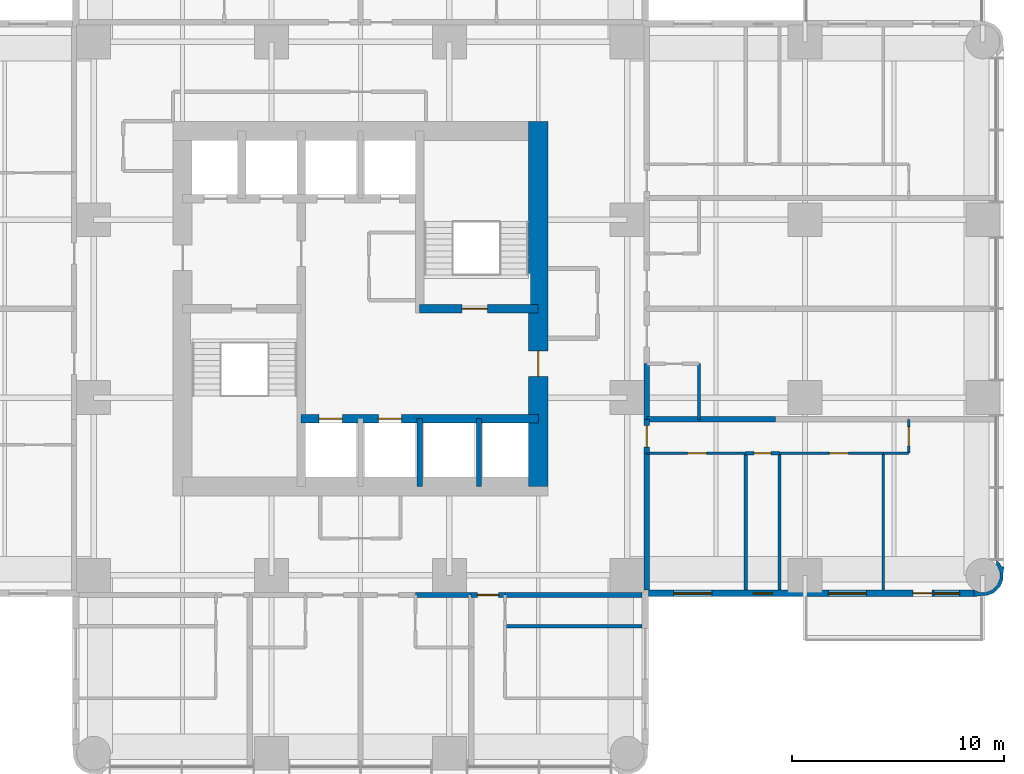
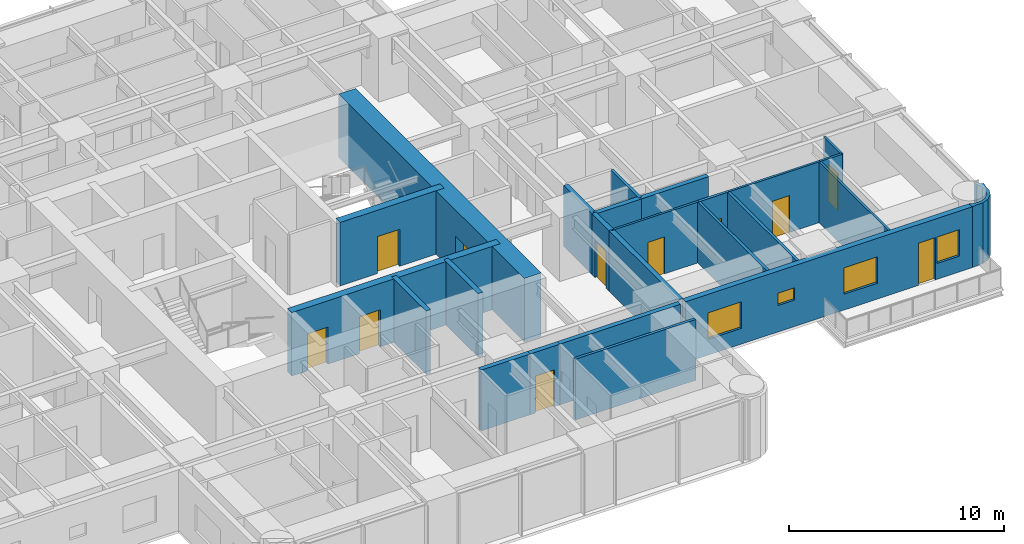
# One storey, part 9 of 14: 25 walls, 11 doors, 4 windows, 15 openings.
"""IFC4 building model written with IfcOpenShell, lengths in metres."""

from ifc_helpers import new_model, si_unit, direction, frame, frame_2d, origin, place, context, subcontext, project, spatial, polyline, rectangle, outline, extrude, material, layer, layer_set, type_object, element, fill, save


model = new_model("IFC4")

# Units and contexts
model_context = context("Model", 3, precision=1e-05, world=origin(), true_north=direction((0.0, 1.0)))
body_context = subcontext(model_context, "Body", "Model", "MODEL_VIEW")
ifc_project = project(units=[si_unit("LENGTHUNIT", "METRE"), si_unit("AREAUNIT", "SQUARE_METRE"), si_unit("VOLUMEUNIT", "CUBIC_METRE"), si_unit("PLANEANGLEUNIT", "RADIAN"), si_unit("MASSUNIT", "GRAM", prefix="KILO")], contexts=[model_context])

# Site, building, storey
site_placement = place(None, origin())
site = spatial("IfcSite", under=ifc_project, at=site_placement, CompositionType="ELEMENT")
building_placement = place(site_placement, origin())
building = spatial("IfcBuilding", under=site, at=building_placement, Name="Torre Alcanfor", CompositionType="ELEMENT")
storey_placement = place(building_placement, frame((0.0, 0.0, 159.300048828125)))
storey = spatial("IfcBuildingStorey", under=building, at=storey_placement, Name="L41", CompositionType="ELEMENT", Elevation=159.300048828125)

# Wall
ifc_material_1 = material(Name="Concrete block masonry, hollow blocks NMX-C-404 9 MPa", Category="masonry")
ifc_layer_1 = layer(ifc_material_1, 0.25)
ifc_layer_set_1 = layer_set([ifc_layer_1], Name="Apartment entrance wall 250 EI 60")
wall_type_1 = type_object("IfcWallType", Name="Apartment entrance wall 250 EI 60", PredefinedType="PARTITIONING", material=ifc_layer_set_1)
wall_1_placement = place(storey_placement, frame((42.925048828125, 26.800048828125, 0.0), z_axis=(0.0, 0.0, 1.0), x_axis=(0.0, -1.0, 0.0)))
element("IfcWall", 1, at=wall_1_placement, inside=storey, type_object=wall_type_1, Name="Partition L41-CORR / L41-E2A-BATH", PredefinedType="PARTITIONING", context=body_context, shape_type="SweptSolid", body=[
    extrude(rectangle(XDim=2.629150390625, YDim=0.25, at=frame_2d((1.314453125, 0.0))), origin(), (0.0, 0.0, 1.0), 3.449951171875),
])

# Wall, opening, door
wall_2_placement = place(storey_placement, frame((42.925048828125, 24.1708984375, 0.0), z_axis=(0.0, 0.0, 1.0), x_axis=(0.0, -1.0, 0.0)))
wall_2 = element("IfcWall", 2, at=wall_2_placement, inside=storey, type_object=wall_type_1, Name="Partition L41-CORR / L41-E2B-HALL", PredefinedType="PARTITIONING", context=body_context, shape_type="SweptSolid", body=[
    extrude(rectangle(XDim=1.599853515625, YDim=0.25, at=frame_2d((0.7998046875, 0.0))), origin(), (0.0, 0.0, 1.0), 3.449951171875),
])
opening_1_placement = place(wall_2_placement, frame((0.300048828125, 0.0, 0.0)))
opening_1 = element("IfcOpeningElement", 3, at=opening_1_placement, cuts=wall_2, Name="Opening D-A1", PredefinedType="OPENING", context=body_context, shape_type="SweptSolid", body=[
    extrude(rectangle(XDim=1.0, YDim=2.10009765625, at=frame_2d((0.5, 1.050048828125))), frame((0.0, 0.135009765625, 0.0), z_axis=(0.0, -1.0, 0.0), x_axis=(1.0, 0.0, 0.0)), (0.0, 0.0, 1.0), 0.27001953125),
])
ifc_material_2 = material(Name="Galvanised steel sheet ASTM A653", Category="steel")
door_type_1 = type_object("IfcDoorType", Name="Apartment entrance door FD60 1000x2100", OperationType="SINGLE_SWING_LEFT", PredefinedType="DOOR", material=ifc_material_2)
door_1_placement = place(opening_1_placement, origin())
door_1 = element("IfcDoor", 4, at=door_1_placement, inside=storey, type_object=door_type_1, Name="Apartment entrance L41-E2B", OperationType="SINGLE_SWING_LEFT", OverallHeight=2.10009765625, OverallWidth=1.0, PredefinedType="DOOR", context=body_context, shape_type="SweptSolid", body=[
    extrude(rectangle(XDim=1.0, YDim=2.10009765625, at=frame_2d((0.5, 1.050048828125))), frame((0.0, 0.02490234375, 0.0), z_axis=(0.0, -1.0, 0.0), x_axis=(1.0, 0.0, 0.0)), (0.0, 0.0, 1.0), 0.050048828125),
])
fill(opening_1, door_1)

# Walls
wall_3_placement = place(storey_placement, frame((42.925048828125, 22.571044921875, 0.0), z_axis=(0.0, 0.0, 1.0), x_axis=(0.0, -1.0, 0.0)))
element("IfcWall", 5, at=wall_3_placement, inside=storey, type_object=wall_type_1, Name="Partition L41-CORR / L41-E2B-BED2", PredefinedType="PARTITIONING", context=body_context, shape_type="SweptSolid", body=[
    extrude(rectangle(XDim=6.470947265625, YDim=0.25, at=frame_2d((3.2353515625, 0.0))), origin(), (0.0, 0.0, 1.0), 3.449951171875),
])
wall_4_placement = place(storey_placement, frame((34.62890625, 15.875, 0.0), z_axis=(0.0, 0.0, 1.0), x_axis=(-1.0, 0.0, 0.0)))
element("IfcWall", 6, at=wall_4_placement, inside=storey, type_object=wall_type_1, Name="Partition L41-CORR / L41-S1A-BATH", PredefinedType="PARTITIONING", context=body_context, shape_type="SweptSolid", body=[
    extrude(rectangle(XDim=2.62890625, YDim=0.25, at=frame_2d((1.314453125, 0.0))), origin(), (0.0, 0.0, 1.0), 3.449951171875),
])

# Wall, opening, door
wall_5_placement = place(storey_placement, frame((36.22900390625, 15.875, 0.0), z_axis=(0.0, 0.0, 1.0), x_axis=(-1.0, 0.0, 0.0)))
wall_5 = element("IfcWall", 7, at=wall_5_placement, inside=storey, type_object=wall_type_1, Name="Partition L41-CORR / L41-S1B-LIVING", PredefinedType="PARTITIONING", context=body_context, shape_type="SweptSolid", body=[
    extrude(rectangle(XDim=1.60009765625, YDim=0.25, at=frame_2d((0.800048828125, 0.0))), origin(), (0.0, 0.0, 1.0), 3.449951171875),
])
opening_2_placement = place(wall_5_placement, frame((0.300048828125, 0.0, 0.0)))
opening_2 = element("IfcOpeningElement", 8, at=opening_2_placement, cuts=wall_5, Name="Opening D-A1", PredefinedType="OPENING", context=body_context, shape_type="SweptSolid", body=[
    extrude(rectangle(XDim=1.0, YDim=2.10009765625, at=frame_2d((0.5, 1.050048828125))), frame((0.0, 0.135009765625, 0.0), z_axis=(0.0, -1.0, 0.0), x_axis=(1.0, 0.0, 0.0)), (0.0, 0.0, 1.0), 0.27001953125),
])
door_2_placement = place(opening_2_placement, origin())
door_2 = element("IfcDoor", 9, at=door_2_placement, inside=storey, type_object=door_type_1, Name="Apartment entrance L41-S1B", OperationType="SINGLE_SWING_LEFT", OverallHeight=2.10009765625, OverallWidth=1.0, PredefinedType="DOOR", context=body_context, shape_type="SweptSolid", body=[
    extrude(rectangle(XDim=1.0, YDim=2.10009765625, at=frame_2d((0.5, 1.050048828125))), frame((0.0, 0.02490234375, 0.0), z_axis=(0.0, -1.0, 0.0), x_axis=(1.0, 0.0, 0.0)), (0.0, 0.0, 1.0), 0.050048828125),
])
fill(opening_2, door_2)

# Wall
wall_6_placement = place(storey_placement, frame((42.699951171875, 15.875, 0.0), z_axis=(0.0, 0.0, 1.0), x_axis=(-1.0, 0.0, 0.0)))
element("IfcWall", 10, at=wall_6_placement, inside=storey, type_object=wall_type_1, Name="Partition L41-CORR / L41-S1B-BATH", PredefinedType="PARTITIONING", context=body_context, shape_type="SweptSolid", body=[
    extrude(rectangle(XDim=6.470947265625, YDim=0.25, at=frame_2d((3.2353515625, 0.0))), origin(), (0.0, 0.0, 1.0), 3.449951171875),
])

# Wall, opening, door
ifc_material_3 = material(Name="Gypsum board on steel studs", Category="steel")
ifc_layer_2 = layer(ifc_material_3, 0.1201171875)
ifc_layer_set_2 = layer_set([ifc_layer_2], Name="Apartment partition 120")
wall_type_2 = type_object("IfcWallType", Name="Apartment partition 120", PredefinedType="PARTITIONING", material=ifc_layer_set_2)
wall_7_placement = place(storey_placement, frame((47.60009765625, 22.571044921875, 0.0), z_axis=(0.0, 0.0, 1.0), x_axis=(-1.0, 0.0, 0.0)))
wall_7 = element("IfcWall", 11, at=wall_7_placement, inside=storey, type_object=wall_type_2, Name="Partition L41-E2B-HALL / L41-E2B-BED2", PredefinedType="PARTITIONING", context=body_context, shape_type="SweptSolid", body=[
    extrude(rectangle(XDim=4.675048828125, YDim=0.1201171875, at=frame_2d((2.33740234375, 0.0))), origin(), (0.0, 0.0, 1.0), 3.449951171875),
])
opening_3_placement = place(wall_7_placement, frame((1.85009765625, 0.0, 0.0)))
opening_3 = element("IfcOpeningElement", 12, at=opening_3_placement, cuts=wall_7, Name="Opening D-R1", PredefinedType="OPENING", context=body_context, shape_type="SweptSolid", body=[
    extrude(rectangle(XDim=0.89990234375, YDim=2.10009765625, at=frame_2d((0.449951171875, 1.050048828125))), frame((0.0, 0.070068359375, 0.0), z_axis=(0.0, -1.0, 0.0), x_axis=(1.0, 0.0, 0.0)), (0.0, 0.0, 1.0), 0.14013671875),
])
ifc_material_4 = material(Name="Timber", Category="wood")
door_type_2 = type_object("IfcDoorType", Name="Internal door 900x2100", OperationType="SINGLE_SWING_LEFT", PredefinedType="DOOR", material=ifc_material_4)
door_3_placement = place(opening_3_placement, origin())
door_3 = element("IfcDoor", 13, at=door_3_placement, inside=storey, type_object=door_type_2, Name="Door L41-E2B bed2", OperationType="SINGLE_SWING_LEFT", OverallHeight=2.10009765625, OverallWidth=0.89990234375, PredefinedType="DOOR", context=body_context, shape_type="SweptSolid", body=[
    extrude(rectangle(XDim=0.89990234375, YDim=2.10009765625, at=frame_2d((0.449951171875, 1.050048828125))), frame((0.0, 0.02490234375, 0.0), z_axis=(0.0, -1.0, 0.0), x_axis=(1.0, 0.0, 0.0)), (0.0, 0.0, 1.0), 0.050048828125),
])
fill(opening_3, door_3)

wall_8_placement = place(storey_placement, frame((54.10009765625, 22.571044921875, 0.0), z_axis=(0.0, 0.0, 1.0), x_axis=(-1.0, 0.0, 0.0)))
wall_8 = element("IfcWall", 14, at=wall_8_placement, inside=storey, type_object=wall_type_2, Name="Partition L41-E2B-HALL / L41-E2B-MASTER", PredefinedType="PARTITIONING", context=body_context, shape_type="SweptSolid", body=[
    extrude(rectangle(XDim=4.900146484375, YDim=0.1201171875, at=frame_2d((2.4501953125, 0.0))), origin(), (0.0, 0.0, 1.0), 3.449951171875),
])
opening_4_placement = place(wall_8_placement, frame((1.64990234375, 0.0, 0.0)))
opening_4 = element("IfcOpeningElement", 15, at=opening_4_placement, cuts=wall_8, Name="Opening D-R1", PredefinedType="OPENING", context=body_context, shape_type="SweptSolid", body=[
    extrude(rectangle(XDim=0.89990234375, YDim=2.10009765625, at=frame_2d((0.449951171875, 1.050048828125))), frame((0.0, 0.070068359375, 0.0), z_axis=(0.0, -1.0, 0.0), x_axis=(1.0, 0.0, 0.0)), (0.0, 0.0, 1.0), 0.14013671875),
])
door_4_placement = place(opening_4_placement, origin())
door_4 = element("IfcDoor", 16, at=door_4_placement, inside=storey, type_object=door_type_2, Name="Door L41-E2B master", OperationType="SINGLE_SWING_LEFT", OverallHeight=2.10009765625, OverallWidth=0.89990234375, PredefinedType="DOOR", context=body_context, shape_type="SweptSolid", body=[
    extrude(rectangle(XDim=0.89990234375, YDim=2.10009765625, at=frame_2d((0.449951171875, 1.050048828125))), frame((0.0, 0.02490234375, 0.0), z_axis=(0.0, -1.0, 0.0), x_axis=(1.0, 0.0, 0.0)), (0.0, 0.0, 1.0), 0.050048828125),
])
fill(opening_4, door_4)

# Wall
wall_9_placement = place(storey_placement, frame((55.300048828125, 22.571044921875, 0.0), z_axis=(0.0, 0.0, 1.0), x_axis=(-1.0, 0.0, 0.0)))
element("IfcWall", 17, at=wall_9_placement, inside=storey, type_object=wall_type_2, Name="Partition L41-E2B-HALL / L41-E2B-KITCHEN", PredefinedType="PARTITIONING", context=body_context, shape_type="SweptSolid", body=[
    extrude(rectangle(XDim=1.199951171875, YDim=0.1201171875, at=frame_2d((0.60009765625, 0.0))), origin(), (0.0, 0.0, 1.0), 3.449951171875),
])

# Wall, opening, door
wall_10_placement = place(storey_placement, frame((55.300048828125, 24.1708984375, 0.0), z_axis=(0.0, 0.0, 1.0), x_axis=(0.0, -1.0, 0.0)))
wall_10 = element("IfcWall", 18, at=wall_10_placement, inside=storey, type_object=wall_type_2, Name="Partition L41-E2B-HALL / L41-E2B-LIVING", PredefinedType="PARTITIONING", context=body_context, shape_type="SweptSolid", body=[
    extrude(rectangle(XDim=1.599853515625, YDim=0.1201171875, at=frame_2d((0.7998046875, 0.0))), origin(), (0.0, 0.0, 1.0), 3.449951171875),
])
opening_5_placement = place(wall_10_placement, frame((0.35009765625, 0.0, 0.0)))
opening_5 = element("IfcOpeningElement", 19, at=opening_5_placement, cuts=wall_10, Name="Opening D-R1", PredefinedType="OPENING", context=body_context, shape_type="SweptSolid", body=[
    extrude(rectangle(XDim=0.89990234375, YDim=2.10009765625, at=frame_2d((0.449951171875, 1.050048828125))), frame((0.0, 0.070068359375, 0.0), z_axis=(0.0, -1.0, 0.0), x_axis=(1.0, 0.0, 0.0)), (0.0, 0.0, 1.0), 0.14013671875),
])
door_5_placement = place(opening_5_placement, origin())
door_5 = element("IfcDoor", 20, at=door_5_placement, inside=storey, type_object=door_type_2, Name="Door L41-E2B living", OperationType="SINGLE_SWING_LEFT", OverallHeight=2.10009765625, OverallWidth=0.89990234375, PredefinedType="DOOR", context=body_context, shape_type="SweptSolid", body=[
    extrude(rectangle(XDim=0.89990234375, YDim=2.10009765625, at=frame_2d((0.449951171875, 1.050048828125))), frame((0.0, 0.02490234375, 0.0), z_axis=(0.0, -1.0, 0.0), x_axis=(1.0, 0.0, 0.0)), (0.0, 0.0, 1.0), 0.050048828125),
])
fill(opening_5, door_5)

# Wall
wall_11_placement = place(storey_placement, frame((54.10009765625, 22.571044921875, 0.0), z_axis=(0.0, 0.0, 1.0), x_axis=(0.0, -1.0, 0.0)))
element("IfcWall", 21, at=wall_11_placement, inside=storey, type_object=wall_type_2, Name="Partition L41-E2B-MASTER / L41-E2B-KITCHEN", PredefinedType="PARTITIONING", context=body_context, shape_type="SweptSolid", body=[
    extrude(rectangle(XDim=6.470947265625, YDim=0.1201171875, at=frame_2d((3.2353515625, 0.0))), origin(), (0.0, 0.0, 1.0), 3.449951171875),
])

# Wall, openings, doors
ifc_material_5 = material(Name="Concrete f'c 70 MPa", Category="concrete")
ifc_layer_3 = layer(ifc_material_5, 0.39990234375)
ifc_layer_set_3 = layer_set([ifc_layer_3], Name="Core inner wall 400 f'c70")
wall_type_3 = type_object("IfcWallType", Name="Core inner wall 400 f'c70", PredefinedType="SHEAR", material=ifc_layer_set_3)
wall_12_placement = place(storey_placement, frame((26.60009765625, 24.199951171875, 0.0), z_axis=(0.0, 0.0, 1.0), x_axis=(1.0, 0.0, 0.0)))
wall_12 = element("IfcWall", 22, at=wall_12_placement, inside=storey, type_object=wall_type_3, Name="Core wall Y242 L41", PredefinedType="SHEAR", context=body_context, shape_type="SweptSolid", body=[
    extrude(rectangle(XDim=11.199951171875, YDim=0.39990234375, at=frame_2d((5.60009765625, 0.0))), origin(), (0.0, 0.0, 1.0), 3.599853515625),
])
opening_6_placement = place(wall_12_placement, frame((0.85009765625, 0.0, 0.0)))
opening_6 = element("IfcOpeningElement", 23, at=opening_6_placement, cuts=wall_12, Name="Opening LD1", PredefinedType="OPENING", context=body_context, shape_type="SweptSolid", body=[
    extrude(rectangle(XDim=1.10009765625, YDim=2.10009765625, at=frame_2d((0.550048828125, 1.050048828125))), frame((0.0, 0.2099609375, 0.0), z_axis=(0.0, -1.0, 0.0), x_axis=(1.0, 0.0, 0.0)), (0.0, 0.0, 1.0), 0.419921875),
])
opening_7_placement = place(wall_12_placement, frame((3.64990234375, 0.0, 0.0)))
opening_7 = element("IfcOpeningElement", 24, at=opening_7_placement, cuts=wall_12, Name="Opening LD1", PredefinedType="OPENING", context=body_context, shape_type="SweptSolid", body=[
    extrude(rectangle(XDim=1.10009765625, YDim=2.10009765625, at=frame_2d((0.550048828125, 1.050048828125))), frame((0.0, 0.2099609375, 0.0), z_axis=(0.0, -1.0, 0.0), x_axis=(1.0, 0.0, 0.0)), (0.0, 0.0, 1.0), 0.419921875),
])
ifc_material_6 = material(Name="Galvanised steel sheet ASTM A653", Category="steel")
door_type_3 = type_object("IfcDoorType", Name="Lift landing door 1100x2100", OperationType="DOUBLE_DOOR_SLIDING", PredefinedType="DOOR", material=ifc_material_6)
door_6_placement = place(opening_6_placement, origin())
door_6 = element("IfcDoor", 25, at=door_6_placement, inside=storey, type_object=door_type_3, Name="Lift landing door PA1 L41", OperationType="DOUBLE_DOOR_SLIDING", OverallHeight=2.10009765625, OverallWidth=1.10009765625, PredefinedType="DOOR", context=body_context, shape_type="SweptSolid", body=[
    extrude(rectangle(XDim=1.10009765625, YDim=2.10009765625, at=frame_2d((0.550048828125, 1.050048828125))), frame((0.0, 0.02490234375, 0.0), z_axis=(0.0, -1.0, 0.0), x_axis=(1.0, 0.0, 0.0)), (0.0, 0.0, 1.0), 0.050048828125),
])
fill(opening_6, door_6)
door_7_placement = place(opening_7_placement, origin())
door_7 = element("IfcDoor", 26, at=door_7_placement, inside=storey, type_object=door_type_3, Name="Lift landing door PA2 L41", OperationType="DOUBLE_DOOR_SLIDING", OverallHeight=2.10009765625, OverallWidth=1.10009765625, PredefinedType="DOOR", context=body_context, shape_type="SweptSolid", body=[
    extrude(rectangle(XDim=1.10009765625, YDim=2.10009765625, at=frame_2d((0.550048828125, 1.050048828125))), frame((0.0, 0.02490234375, 0.0), z_axis=(0.0, -1.0, 0.0), x_axis=(1.0, 0.0, 0.0)), (0.0, 0.0, 1.0), 0.050048828125),
])
fill(opening_7, door_7)

# Wall, opening, door
wall_13_placement = place(storey_placement, frame((32.199951171875, 29.39990234375, 0.0), z_axis=(0.0, 0.0, 1.0), x_axis=(1.0, 0.0, 0.0)))
wall_13 = element("IfcWall", 27, at=wall_13_placement, inside=storey, type_object=wall_type_3, Name="Core wall Y294E L41", PredefinedType="SHEAR", context=body_context, shape_type="SweptSolid", body=[
    extrude(rectangle(XDim=5.60009765625, YDim=0.39990234375, at=frame_2d((2.800048828125, 0.0))), origin(), (0.0, 0.0, 1.0), 3.599853515625),
])
opening_8_placement = place(wall_13_placement, frame((2.0, 0.0, 0.0)))
opening_8 = element("IfcOpeningElement", 28, at=opening_8_placement, cuts=wall_13, Name="Opening D-S2", PredefinedType="OPENING", context=body_context, shape_type="SweptSolid", body=[
    extrude(rectangle(XDim=1.199951171875, YDim=2.10009765625, at=frame_2d((0.60009765625, 1.050048828125))), frame((0.0, 0.2099609375, 0.0), z_axis=(0.0, -1.0, 0.0), x_axis=(1.0, 0.0, 0.0)), (0.0, 0.0, 1.0), 0.419921875),
])
ifc_material_7 = material(Name="Galvanised steel sheet ASTM A653", Category="steel")
door_type_4 = type_object("IfcDoorType", Name="Stair enclosure door FD120 1200x2100", OperationType="SINGLE_SWING_LEFT", PredefinedType="DOOR", material=ifc_material_7)
door_8_placement = place(opening_8_placement, origin())
door_8 = element("IfcDoor", 29, at=door_8_placement, inside=storey, type_object=door_type_4, Name="Stair S2 door L41", OperationType="SINGLE_SWING_LEFT", OverallHeight=2.10009765625, OverallWidth=1.199951171875, PredefinedType="DOOR", context=body_context, shape_type="SweptSolid", body=[
    extrude(rectangle(XDim=1.199951171875, YDim=2.10009765625, at=frame_2d((0.60009765625, 1.050048828125))), frame((0.0, 0.02490234375, 0.0), z_axis=(0.0, -1.0, 0.0), x_axis=(1.0, 0.0, 0.0)), (0.0, 0.0, 1.0), 0.050048828125),
])
fill(opening_8, door_8)

# Walls
ifc_material_8 = material(Name="Concrete f'c 70 MPa", Category="concrete")
ifc_layer_4 = layer(ifc_material_8, 0.25)
ifc_layer_set_4 = layer_set([ifc_layer_4], Name="Core shaft wall 250 f'c70")
wall_type_4 = type_object("IfcWallType", Name="Core shaft wall 250 f'c70", PredefinedType="SHEAR", material=ifc_layer_set_4)
for number, where, z_axis, x_axis, name in (
    (30, (32.199951171875, 21.0, 0.0), (0.0, 0.0, 1.0), (0.0, 1.0, 0.0), "Core wall X322S L41"),
    (31, (35.0, 21.0, 0.0), (0.0, 0.0, 1.0), (0.0, 1.0, 0.0), "Core wall X350S L41"),
):
    element("IfcWall", number, at=place(storey_placement, frame(where, z_axis=z_axis, x_axis=x_axis)), inside=storey, type_object=wall_type_4, Name=name, PredefinedType="SHEAR", context=body_context, shape_type="SweptSolid", body=[
        extrude(rectangle(XDim=3.199951171875, YDim=0.25, at=frame_2d((1.60009765625, 0.0))), origin(), (0.0, 0.0, 1.0), 3.599853515625),
    ])

# Wall, opening, door
ifc_material_9 = material(Name="Concrete f'c 70 MPa", Category="concrete")
ifc_layer_5 = layer(ifc_material_9, 0.89990234375)
ifc_layer_set_5 = layer_set([ifc_layer_5], Name="Core wall 900 f'c70")
wall_type_5 = type_object("IfcWallType", Name="Core wall 900 f'c70", PredefinedType="SHEAR", material=ifc_layer_set_5)
wall_14_placement = place(storey_placement, frame((37.800048828125, 21.0, 0.0), z_axis=(0.0, 0.0, 1.0), x_axis=(0.0, 1.0, 0.0)))
wall_14 = element("IfcWall", 32, at=wall_14_placement, inside=storey, type_object=wall_type_5, Name="Core wall OUT-E L41", PredefinedType="SHEAR", context=body_context, shape_type="SweptSolid", body=[
    extrude(rectangle(XDim=17.25, YDim=0.89990234375, at=frame_2d((8.625, 0.0))), origin(), (0.0, 0.0, 1.0), 3.599853515625),
])
opening_9_placement = place(wall_14_placement, frame((5.199951171875, 0.0, 0.0)))
opening_9 = element("IfcOpeningElement", 33, at=opening_9_placement, cuts=wall_14, Name="Opening D-L1", PredefinedType="OPENING", context=body_context, shape_type="SweptSolid", body=[
    extrude(rectangle(XDim=1.199951171875, YDim=2.10009765625, at=frame_2d((0.60009765625, 1.050048828125))), frame((0.0, 0.4599609375, 0.0), z_axis=(0.0, -1.0, 0.0), x_axis=(1.0, 0.0, 0.0)), (0.0, 0.0, 1.0), 0.919921875),
])
ifc_material_10 = material(Name="Galvanised steel sheet ASTM A653", Category="steel")
door_type_5 = type_object("IfcDoorType", Name="Lobby door FD120 1200x2100", OperationType="SINGLE_SWING_LEFT", PredefinedType="DOOR", material=ifc_material_10)
door_9_placement = place(opening_9_placement, origin())
door_9 = element("IfcDoor", 34, at=door_9_placement, inside=storey, type_object=door_type_5, Name="Lift lobby entrance door L41", OperationType="SINGLE_SWING_LEFT", OverallHeight=2.10009765625, OverallWidth=1.199951171875, PredefinedType="DOOR", context=body_context, shape_type="SweptSolid", body=[
    extrude(rectangle(XDim=1.199951171875, YDim=2.10009765625, at=frame_2d((0.60009765625, 1.050048828125))), frame((0.0, 0.02490234375, 0.0), z_axis=(0.0, -1.0, 0.0), x_axis=(1.0, 0.0, 0.0)), (0.0, 0.0, 1.0), 0.050048828125),
])
fill(opening_9, door_9)

# Wall, openings, door, windows
ifc_material_11 = material(Name="Limestone cladding", Category="masonry")
ifc_layer_6 = layer(ifc_material_11, 0.0400390625, Name="Facing")
ifc_material_12 = material(Name="Ventilated air cavity")
ifc_layer_7 = layer(ifc_material_12, 0.02001953125, ventilated=True, Name="Ventilated joint")
ifc_material_13 = material(Name="Mineral wool insulation", Category="insulation")
ifc_layer_8 = layer(ifc_material_13, 0.10009765625, Name="Insulation")
ifc_material_14 = material(Name="Concrete f'c 35 MPa", Category="concrete")
ifc_layer_9 = layer(ifc_material_14, 0.139892578125, Name="Backing")
ifc_layer_set_6 = layer_set([ifc_layer_6, ifc_layer_7, ifc_layer_8, ifc_layer_9], Name="External wall stone-clad 300")
wall_type_6 = type_object("IfcWallType", Name="External wall stone-clad 300", PredefinedType="SOLIDWALL", material=ifc_layer_set_6)
wall_15_placement = place(storey_placement, frame((43.0, 15.949951171875, 0.0), z_axis=(0.0, 0.0, 1.0), x_axis=(1.0, 0.0, 0.0)))
wall_15 = element("IfcWall", 35, at=wall_15_placement, inside=storey, type_object=wall_type_6, Name="External wall L41 7", PredefinedType="SOLIDWALL", context=body_context, shape_type="SweptSolid", body=[
    extrude(rectangle(XDim=15.39990234375, YDim=0.300048828125, at=frame_2d((7.699951171875, 0.0))), origin(), (0.0, 0.0, 1.0), 3.449951171875),
])
opening_10_placement = place(wall_15_placement, frame((1.199951171875, 0.0, 0.89990234375)))
opening_10 = element("IfcOpeningElement", 36, at=opening_10_placement, cuts=wall_15, Name="Opening W2", PredefinedType="OPENING", context=body_context, shape_type="SweptSolid", body=[
    extrude(rectangle(XDim=1.800048828125, YDim=1.5, at=frame_2d((0.89990234375, 0.75))), frame((0.0, 0.159912109375, 0.0), z_axis=(0.0, -1.0, 0.0), x_axis=(1.0, 0.0, 0.0)), (0.0, 0.0, 1.0), 0.320068359375),
])
opening_11_placement = place(wall_15_placement, frame((4.949951171875, 0.0, 1.5)))
opening_11 = element("IfcOpeningElement", 37, at=opening_11_placement, cuts=wall_15, Name="Opening W3", PredefinedType="OPENING", context=body_context, shape_type="SweptSolid", body=[
    extrude(rectangle(XDim=0.89990234375, YDim=0.699951171875, at=frame_2d((0.449951171875, 0.35009765625))), frame((0.0, 0.159912109375, 0.0), z_axis=(0.0, -1.0, 0.0), x_axis=(1.0, 0.0, 0.0)), (0.0, 0.0, 1.0), 0.320068359375),
])
opening_12_placement = place(wall_15_placement, frame((8.5, 0.0, 0.89990234375)))
opening_12 = element("IfcOpeningElement", 38, at=opening_12_placement, cuts=wall_15, Name="Opening W2", PredefinedType="OPENING", context=body_context, shape_type="SweptSolid", body=[
    extrude(rectangle(XDim=1.800048828125, YDim=1.5, at=frame_2d((0.89990234375, 0.75))), frame((0.0, 0.159912109375, 0.0), z_axis=(0.0, -1.0, 0.0), x_axis=(1.0, 0.0, 0.0)), (0.0, 0.0, 1.0), 0.320068359375),
])
opening_13_placement = place(wall_15_placement, frame((12.5, 0.0, 0.0)))
opening_13 = element("IfcOpeningElement", 39, at=opening_13_placement, cuts=wall_15, Name="Opening D-B1", PredefinedType="OPENING", context=body_context, shape_type="SweptSolid", body=[
    extrude(rectangle(XDim=0.89990234375, YDim=2.39990234375, at=frame_2d((0.449951171875, 1.199951171875))), frame((0.0, 0.159912109375, 0.0), z_axis=(0.0, -1.0, 0.0), x_axis=(1.0, 0.0, 0.0)), (0.0, 0.0, 1.0), 0.320068359375),
])
opening_14_placement = place(wall_15_placement, frame((13.5, 0.0, 0.89990234375)))
opening_14 = element("IfcOpeningElement", 40, at=opening_14_placement, cuts=wall_15, Name="Opening W4", PredefinedType="OPENING", context=body_context, shape_type="SweptSolid", body=[
    extrude(rectangle(XDim=1.199951171875, YDim=1.5, at=frame_2d((0.60009765625, 0.75))), frame((0.0, 0.159912109375, 0.0), z_axis=(0.0, -1.0, 0.0), x_axis=(1.0, 0.0, 0.0)), (0.0, 0.0, 1.0), 0.320068359375),
])
ifc_material_15 = material(Name="Aluminium and glass", Category="aluminium")
door_type_6 = type_object("IfcDoorType", Name="Balcony door glazed 900x2400", OperationType="SINGLE_SWING_LEFT", PredefinedType="DOOR", material=ifc_material_15)
door_10_placement = place(opening_13_placement, origin())
door_10 = element("IfcDoor", 41, at=door_10_placement, inside=storey, type_object=door_type_6, Name="Balcony door L41-E2", OperationType="SINGLE_SWING_LEFT", OverallHeight=2.39990234375, OverallWidth=0.89990234375, PredefinedType="DOOR", context=body_context, shape_type="SweptSolid", body=[
    extrude(rectangle(XDim=0.89990234375, YDim=2.39990234375, at=frame_2d((0.449951171875, 1.199951171875))), frame((0.0, 0.02490234375, 0.0), z_axis=(0.0, -1.0, 0.0), x_axis=(1.0, 0.0, 0.0)), (0.0, 0.0, 1.0), 0.050048828125),
])
fill(opening_13, door_10)
ifc_material_16 = material(Name="Aluminium frame with clear double glazing", Category="aluminium")
window_type_1 = type_object("IfcWindowType", Name="Window bathroom 900x700", PartitioningType="SINGLE_PANEL", PredefinedType="WINDOW", material=ifc_material_16)
window_1_placement = place(opening_11_placement, origin())
window_1 = element("IfcWindow", 42, at=window_1_placement, inside=storey, type_object=window_type_1, Name="Window W3 L41-E2", OverallHeight=0.699951171875, OverallWidth=0.89990234375, PartitioningType="SINGLE_PANEL", PredefinedType="WINDOW", context=body_context, shape_type="SweptSolid", body=[
    extrude(rectangle(XDim=0.89990234375, YDim=0.699951171875, at=frame_2d((0.449951171875, 0.35009765625))), frame((0.0, 0.030029296875, 0.0), z_axis=(0.0, -1.0, 0.0), x_axis=(1.0, 0.0, 0.0)), (0.0, 0.0, 1.0), 0.06005859375),
])
fill(opening_11, window_1)
ifc_material_17 = material(Name="Aluminium frame with clear double glazing", Category="aluminium")
window_type_2 = type_object("IfcWindowType", Name="Window bedroom 1200x1500", PartitioningType="SINGLE_PANEL", PredefinedType="WINDOW", material=ifc_material_17)
window_2_placement = place(opening_14_placement, origin())
window_2 = element("IfcWindow", 43, at=window_2_placement, inside=storey, type_object=window_type_2, Name="Window W4 L41-E2", OverallHeight=1.5, OverallWidth=1.199951171875, PartitioningType="SINGLE_PANEL", PredefinedType="WINDOW", context=body_context, shape_type="SweptSolid", body=[
    extrude(rectangle(XDim=1.199951171875, YDim=1.5, at=frame_2d((0.60009765625, 0.75))), frame((0.0, 0.030029296875, 0.0), z_axis=(0.0, -1.0, 0.0), x_axis=(1.0, 0.0, 0.0)), (0.0, 0.0, 1.0), 0.06005859375),
])
fill(opening_14, window_2)
ifc_material_18 = material(Name="Aluminium frame with clear double glazing", Category="aluminium")
window_type_3 = type_object("IfcWindowType", Name="Window bedroom 1800x1500", PartitioningType="SINGLE_PANEL", PredefinedType="WINDOW", material=ifc_material_18)
window_3_placement = place(opening_10_placement, origin())
window_3 = element("IfcWindow", 44, at=window_3_placement, inside=storey, type_object=window_type_3, Name="Window W2 L41-E2", OverallHeight=1.5, OverallWidth=1.800048828125, PartitioningType="SINGLE_PANEL", PredefinedType="WINDOW", context=body_context, shape_type="SweptSolid", body=[
    extrude(rectangle(XDim=1.800048828125, YDim=1.5, at=frame_2d((0.89990234375, 0.75))), frame((0.0, 0.030029296875, 0.0), z_axis=(0.0, -1.0, 0.0), x_axis=(1.0, 0.0, 0.0)), (0.0, 0.0, 1.0), 0.06005859375),
])
fill(opening_10, window_3)
window_4_placement = place(opening_12_placement, origin())
window_4 = element("IfcWindow", 45, at=window_4_placement, inside=storey, type_object=window_type_3, Name="Window W2 L41-E2", OverallHeight=1.5, OverallWidth=1.800048828125, PartitioningType="SINGLE_PANEL", PredefinedType="WINDOW", context=body_context, shape_type="SweptSolid", body=[
    extrude(rectangle(XDim=1.800048828125, YDim=1.5, at=frame_2d((0.89990234375, 0.75))), frame((0.0, 0.030029296875, 0.0), z_axis=(0.0, -1.0, 0.0), x_axis=(1.0, 0.0, 0.0)), (0.0, 0.0, 1.0), 0.06005859375),
])
fill(opening_12, window_4)

# Walls
ifc_material_19 = material(Name="Concrete block masonry, hollow blocks NMX-C-404 9 MPa", Category="masonry")
ifc_layer_10 = layer(ifc_material_19, 0.25)
ifc_layer_set_7 = layer_set([ifc_layer_10], Name="Party wall 250 EI 60")
wall_type_7 = type_object("IfcWallType", Name="Party wall 250 EI 60", PredefinedType="PARTITIONING", material=ifc_layer_set_7)
wall_16_placement = place(storey_placement, frame((45.39990234375, 24.1708984375, 0.0), z_axis=(0.0, 0.0, 1.0), x_axis=(-1.0, 0.0, 0.0)))
element("IfcWall", 46, at=wall_16_placement, inside=storey, type_object=wall_type_7, Name="Partition L41-E2A-BATH / L41-E2B-HALL", PredefinedType="PARTITIONING", context=body_context, shape_type="SweptSolid", body=[
    extrude(rectangle(XDim=2.474853515625, YDim=0.25, at=frame_2d((1.2373046875, 0.0))), origin(), (0.0, 0.0, 1.0), 3.449951171875),
])
wall_17_placement = place(storey_placement, frame((49.0, 24.1708984375, 0.0), z_axis=(0.0, 0.0, 1.0), x_axis=(-1.0, 0.0, 0.0)))
element("IfcWall", 47, at=wall_17_placement, inside=storey, type_object=wall_type_7, Name="Partition L41-E2A-KITCHEN / L41-E2B-HALL", PredefinedType="PARTITIONING", context=body_context, shape_type="SweptSolid", body=[
    extrude(rectangle(XDim=3.60009765625, YDim=0.25, at=frame_2d((1.800048828125, 0.0))), origin(), (0.0, 0.0, 1.0), 3.449951171875),
])
ifc_layer_11 = layer(ifc_material_11, 0.0400390625, Name="Facing")
ifc_layer_12 = layer(ifc_material_12, 0.02001953125, ventilated=True, Name="Ventilated joint")
ifc_layer_13 = layer(ifc_material_13, 0.10009765625, Name="Insulation")
ifc_layer_14 = layer(ifc_material_14, 0.139892578125, Name="Backing")
ifc_layer_set_8 = layer_set([ifc_layer_11, ifc_layer_12, ifc_layer_13, ifc_layer_14], Name="Rounded corner pier stone-clad 300")
wall_type_8 = type_object("IfcWallType", Name="Rounded corner pier stone-clad 300", PredefinedType="SOLIDWALL", material=ifc_layer_set_8)
wall_18_placement = place(storey_placement, frame((58.473176205, 15.982940512, 0.0), z_axis=(0.0, 0.0, 1.0), x_axis=(0.93923434088, -0.343276641956, 0.0)))
element("IfcWall", 48, at=wall_18_placement, inside=storey, type_object=wall_type_8, Name="Corner pier L41 17", PredefinedType="SOLIDWALL", context=body_context, shape_type="SweptSolid", body=[
    extrude(outline(polyline([(0.8284730010654036, 1.5985425833407376), (0.696550254150438, 1.5690420941096577), (0.604150309609554, 1.6696580493968027), (0.3940514645210207, 1.7672868618913617), (0.47123842429676593, 1.5560967183488668), (0.5084988752141064, 1.538782517623304), (0.7242236800575332, 1.304144262222244), (0.8335928250166512, 1.004900899222292), (0.8200123708562836, 0.6864548699061994), (0.6857181921193565, 0.39745154052212156), (0.4509961289443815, 0.18195604093769838), (0.15175276594442946, 0.07258689597858048), (-0.11627514476265094, 0.08405951949541965), (-0.12738305855443924, 0.07818018621272643), (-0.1459567845337466, 0.07139175652560875), (-0.006038883692560254, -0.1969313551897346), (0.2657016888450987, -0.05498461418889633), (0.5353646734335612, 0.04357332793518234), (0.8165937238928549, 0.3018001061266741), (0.9775139424010254, 0.6481031205348973), (0.9937655592370759, 1.0296500763704852), (0.8951238093390822, 1.2995423662179517), (0.8284730010654036, 1.5985425833407376)])), origin(), (0.0, 0.0, 1.0), 3.449951171875),
])
ifc_material_20 = material(Name="Cement board on steel studs", Category="steel")
ifc_layer_15 = layer(ifc_material_20, 0.14990234375)
ifc_layer_set_9 = layer_set([ifc_layer_15], Name="Wet area partition 150")
wall_type_9 = type_object("IfcWallType", Name="Wet area partition 150", PredefinedType="PARTITIONING", material=ifc_layer_set_9)
wall_19_placement = place(storey_placement, frame((45.39990234375, 26.800048828125, 0.0), z_axis=(0.0, 0.0, 1.0), x_axis=(0.0, -1.0, 0.0)))
element("IfcWall", 49, at=wall_19_placement, inside=storey, type_object=wall_type_9, Name="Partition L41-E2A-BATH / L41-E2A-KITCHEN", PredefinedType="PARTITIONING", context=body_context, shape_type="SweptSolid", body=[
    extrude(rectangle(XDim=2.629150390625, YDim=0.14990234375, at=frame_2d((1.314453125, 0.0))), origin(), (0.0, 0.0, 1.0), 3.449951171875),
])

# Wall, opening, door
wall_20_placement = place(storey_placement, frame((49.199951171875, 22.571044921875, 0.0), z_axis=(0.0, 0.0, 1.0), x_axis=(-1.0, 0.0, 0.0)))
wall_20 = element("IfcWall", 50, at=wall_20_placement, inside=storey, type_object=wall_type_9, Name="Partition L41-E2B-HALL / L41-E2B-BATH", PredefinedType="PARTITIONING", context=body_context, shape_type="SweptSolid", body=[
    extrude(rectangle(XDim=1.599853515625, YDim=0.14990234375, at=frame_2d((0.7998046875, 0.0))), origin(), (0.0, 0.0, 1.0), 3.449951171875),
])
opening_15_placement = place(wall_20_placement, frame((0.39990234375, 0.0, 0.0)))
opening_15 = element("IfcOpeningElement", 51, at=opening_15_placement, cuts=wall_20, Name="Opening D-R2", PredefinedType="OPENING", context=body_context, shape_type="SweptSolid", body=[
    extrude(rectangle(XDim=0.800048828125, YDim=2.10009765625, at=frame_2d((0.39990234375, 1.050048828125))), frame((0.0, 0.0849609375, 0.0), z_axis=(0.0, -1.0, 0.0), x_axis=(1.0, 0.0, 0.0)), (0.0, 0.0, 1.0), 0.169921875),
])
ifc_material_21 = material(Name="Timber", Category="wood")
door_type_7 = type_object("IfcDoorType", Name="Bathroom door 800x2100", OperationType="SINGLE_SWING_LEFT", PredefinedType="DOOR", material=ifc_material_21)
door_11_placement = place(opening_15_placement, origin())
door_11 = element("IfcDoor", 52, at=door_11_placement, inside=storey, type_object=door_type_7, Name="Door L41-E2B bath", OperationType="SINGLE_SWING_LEFT", OverallHeight=2.10009765625, OverallWidth=0.800048828125, PredefinedType="DOOR", context=body_context, shape_type="SweptSolid", body=[
    extrude(rectangle(XDim=0.800048828125, YDim=2.10009765625, at=frame_2d((0.39990234375, 1.050048828125))), frame((0.0, 0.02490234375, 0.0), z_axis=(0.0, -1.0, 0.0), x_axis=(1.0, 0.0, 0.0)), (0.0, 0.0, 1.0), 0.050048828125),
])
fill(opening_15, door_11)

# Walls
for number, where, z_axis, x_axis, name in (
    (53, (47.60009765625, 22.571044921875, 0.0), (0.0, 0.0, 1.0), (0.0, -1.0, 0.0), "Partition L41-E2B-BED2 / L41-E2B-BATH"),
    (54, (49.199951171875, 22.571044921875, 0.0), (0.0, 0.0, 1.0), (0.0, -1.0, 0.0), "Partition L41-E2B-BATH / L41-E2B-MASTER"),
    (55, (36.22900390625, 14.39990234375, 0.0), (0.0, 0.0, 1.0), (1.0, 0.0, 0.0), "Partition L41-S1B-BATH / L41-S1B-MASTER"),
):
    element("IfcWall", number, at=place(storey_placement, frame(where, z_axis=z_axis, x_axis=x_axis)), inside=storey, type_object=wall_type_9, Name=name, PredefinedType="PARTITIONING", context=body_context, shape_type="SweptSolid", body=[
        extrude(rectangle(XDim=6.470947265625, YDim=0.14990234375, at=frame_2d((3.2353515625, 0.0))), origin(), (0.0, 0.0, 1.0), 3.449951171875),
    ])

save(model, "model.ifc")
